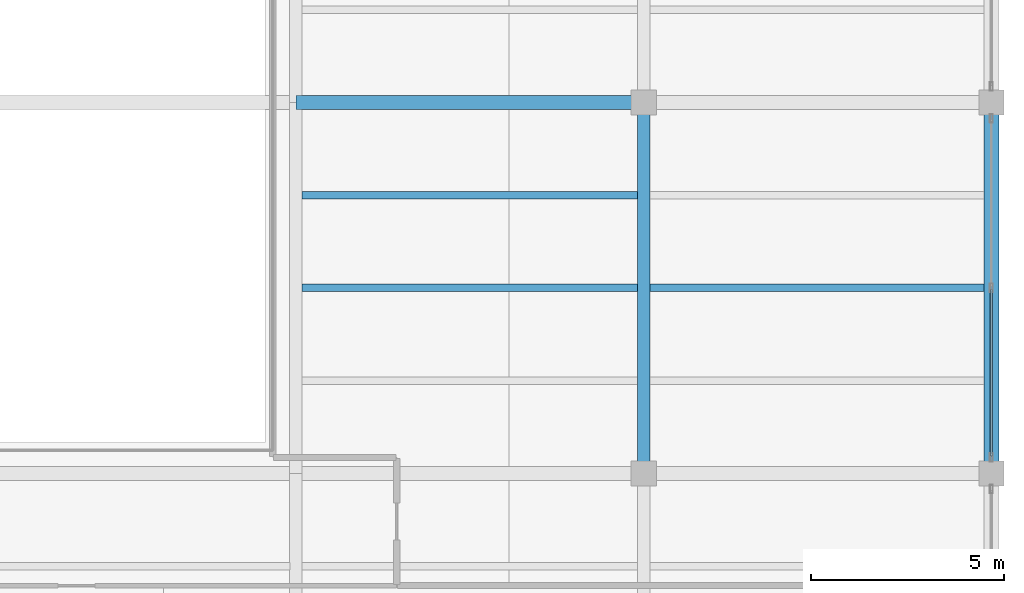
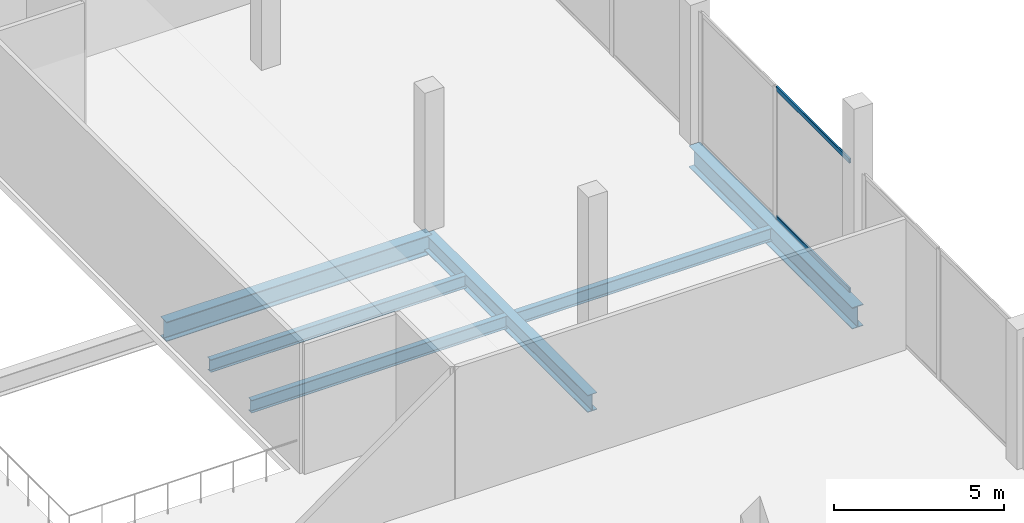
# One storey, part 17 of 43: 6 beams, 2 members, 1 element without a shape of its own.
"""IFC4 building model written with IfcOpenShell, lengths in metres."""

from ifc_helpers import new_model, si_unit, direction, frame, origin, origin_2d, place, context, subcontext, project, spatial, hollow_rectangle, i_section, extrude, material, layer, layer_set, material_profile, profile_set, type_object, element, aggregate, save


model = new_model("IFC4")

# Units and contexts
model_context = context("Model", 3, precision=1e-05, world=origin(), true_north=direction((0.0, 1.0)))
body_context = subcontext(model_context, "Body", "Model", "MODEL_VIEW")
ifc_project = project(units=[si_unit("LENGTHUNIT", "METRE"), si_unit("AREAUNIT", "SQUARE_METRE"), si_unit("VOLUMEUNIT", "CUBIC_METRE"), si_unit("PLANEANGLEUNIT", "RADIAN"), si_unit("MASSUNIT", "GRAM", prefix="KILO")], contexts=[model_context])

# Site, building, storey
site_placement = place(None, origin())
site = spatial("IfcSite", under=ifc_project, at=site_placement, CompositionType="ELEMENT")
building_placement = place(site_placement, origin())
building = spatial("IfcBuilding", under=site, at=building_placement, Name="Qorvath Tower", CompositionType="ELEMENT")
storey_placement = place(building_placement, frame((0.0, 0.0, 22.0)))
storey = spatial("IfcBuildingStorey", under=building, at=storey_placement, Name="L04", CompositionType="ELEMENT", Elevation=22.0)

# Beams
ifc_material_1 = material(Name="Steel ASTM A992 Grade 50", Category="steel")
ifc_material_profile_1 = material_profile(ifc_material_1, i_section(OverallWidth=0.381103515625, OverallDepth=0.77294921875, WebThickness=0.0166015625, FlangeThickness=0.027099609375, FilletRadius=0.01904296875, at=origin_2d()), Name="W30x173")
ifc_profile_set_1 = profile_set([ifc_material_profile_1], Name="Steel ASTM A992 Grade 50")
beam_type_1 = type_object("IfcBeamType", Name="BM-FG3", PredefinedType="BEAM", material=ifc_profile_set_1)
beam_1_placement = place(storey_placement, frame((77.39990234375, -9.60009765625, -0.646484375), z_axis=(0.0, 1.0, 0.0), x_axis=(-1.0, 0.0, 0.0)))
element("IfcBeam", 1, at=beam_1_placement, inside=storey, type_object=beam_type_1, Name="Library N-S Girder L04-6-4", PredefinedType="BEAM", context=body_context, shape_type="SweptSolid", body=[
    extrude(i_section(OverallWidth=0.381103515625, OverallDepth=0.77294921875, WebThickness=0.0166015625, FlangeThickness=0.027099609375, FilletRadius=0.01904296875, at=origin_2d()), origin(), (0.0, 0.0, 1.0), 9.60009765625),
])
ifc_material_2 = material(Name="Steel ASTM A992 Grade 50", Category="steel")
ifc_material_profile_2 = material_profile(ifc_material_2, i_section(OverallWidth=0.35595703125, OverallDepth=0.696044921875, WebThickness=0.015380859375, FlangeThickness=0.02490234375, FilletRadius=0.01806640625, at=origin_2d()), Name="W27x146")
ifc_profile_set_2 = profile_set([ifc_material_profile_2], Name="Steel ASTM A992 Grade 50")
beam_type_2 = type_object("IfcBeamType", Name="BM-FG4", PredefinedType="BEAM", material=ifc_profile_set_2)
beam_2_placement = place(storey_placement, frame((59.39990234375, 0.0, -0.60791015625), z_axis=(1.0, 0.0, 0.0), x_axis=(0.0, 1.0, 0.0)))
element("IfcBeam", 2, at=beam_2_placement, inside=storey, type_object=beam_type_2, Name="Library E-W Girder L04-5-4", PredefinedType="BEAM", context=body_context, shape_type="SweptSolid", body=[
    extrude(i_section(OverallWidth=0.35595703125, OverallDepth=0.696044921875, WebThickness=0.015380859375, FlangeThickness=0.02490234375, FilletRadius=0.01806640625, at=origin_2d()), origin(), (0.0, 0.0, 1.0), 9.0),
])
ifc_material_3 = material(Name="Steel ASTM A992 Grade 50", Category="steel")
ifc_material_profile_3 = material_profile(ifc_material_3, i_section(OverallWidth=0.324951171875, OverallDepth=0.615966796875, WebThickness=0.013916015625, FlangeThickness=0.021484375, FilletRadius=0.01611328125, at=origin_2d()), Name="W24x117")
ifc_profile_set_3 = profile_set([ifc_material_profile_3], Name="Steel ASTM A992 Grade 50")
beam_type_3 = type_object("IfcBeamType", Name="BM-FG5", PredefinedType="BEAM", material=ifc_profile_set_3)
beam_3_placement = place(storey_placement, frame((68.39990234375, -9.60009765625, -0.568115234375), z_axis=(0.0, 1.0, 0.0), x_axis=(-1.0, 0.0, 0.0)))
element("IfcBeam", 3, at=beam_3_placement, inside=storey, type_object=beam_type_3, Name="Library N-S Girder L04-5-4", PredefinedType="BEAM", context=body_context, shape_type="SweptSolid", body=[
    extrude(i_section(OverallWidth=0.324951171875, OverallDepth=0.615966796875, WebThickness=0.013916015625, FlangeThickness=0.021484375, FilletRadius=0.01611328125, at=origin_2d()), origin(), (0.0, 0.0, 1.0), 9.60009765625),
])
ifc_material_4 = material(Name="Steel ASTM A992 Grade 50", Category="steel")
ifc_material_profile_4 = material_profile(ifc_material_4, i_section(OverallWidth=0.18994140625, OverallDepth=0.45703125, WebThickness=0.009033203125, FlangeThickness=0.014404296875, FilletRadius=0.011962890625, at=origin_2d()), Name="W18x50")
ifc_profile_set_4 = profile_set([ifc_material_profile_4], Name="Steel ASTM A992 Grade 50")
beam_type_4 = type_object("IfcBeamType", Name="BM-FJ2", PredefinedType="JOIST", material=ifc_profile_set_4)
beam_4_placement = place(storey_placement, frame((59.560546875, -4.800048828125, -0.488525390625), z_axis=(1.0, 0.0, 0.0), x_axis=(0.0, 1.0, 0.0)))
element("IfcBeam", 4, at=beam_4_placement, inside=storey, type_object=beam_type_4, Name="Library Stack Joist L04-4.2-4", PredefinedType="JOIST", context=body_context, shape_type="SweptSolid", body=[
    extrude(i_section(OverallWidth=0.18994140625, OverallDepth=0.45703125, WebThickness=0.009033203125, FlangeThickness=0.014404296875, FilletRadius=0.011962890625, at=origin_2d()), origin(), (0.0, 0.0, 1.0), 8.678955078125),
])
beam_5_placement = place(storey_placement, frame((68.560546875, -4.800048828125, -0.488525390625), z_axis=(1.0, 0.0, 0.0), x_axis=(0.0, 1.0, 0.0)))
element("IfcBeam", 5, at=beam_5_placement, inside=storey, type_object=beam_type_4, Name="Library Stack Joist L04-4.2-5", PredefinedType="JOIST", context=body_context, shape_type="SweptSolid", body=[
    extrude(i_section(OverallWidth=0.18994140625, OverallDepth=0.45703125, WebThickness=0.009033203125, FlangeThickness=0.014404296875, FilletRadius=0.011962890625, at=origin_2d()), origin(), (0.0, 0.0, 1.0), 8.65087890625),
])
beam_6_placement = place(storey_placement, frame((59.560546875, -2.39990234375, -0.488525390625), z_axis=(1.0, 0.0, 0.0), x_axis=(0.0, 1.0, 0.0)))
element("IfcBeam", 6, at=beam_6_placement, inside=storey, type_object=beam_type_4, Name="Library Stack Joist L04-4.3-4", PredefinedType="JOIST", context=body_context, shape_type="SweptSolid", body=[
    extrude(i_section(OverallWidth=0.18994140625, OverallDepth=0.45703125, WebThickness=0.009033203125, FlangeThickness=0.014404296875, FilletRadius=0.011962890625, at=origin_2d()), origin(), (0.0, 0.0, 1.0), 8.678955078125),
])

# Curtain wall, members
ifc_material_5 = material(Name="Anodised aluminium and triple low-E glass", Category="aluminium")
ifc_layer = layer(ifc_material_5, 0.179931640625)
ifc_layer_set = layer_set([ifc_layer], Name="CW-SYS-6")
curtain_wall_type = type_object("IfcCurtainWallType", Name="CW-SYS-6", PredefinedType="NOTDEFINED", material=ifc_layer_set)
curtain_wall_placement = place(storey_placement, origin())
curtain_wall = element("IfcCurtainWall", 7, at=curtain_wall_placement, inside=storey, type_object=curtain_wall_type, Name="Curtain Wall CW-6 CW-LIB-E-L04-4", PredefinedType="NOTDEFINED")
ifc_material_6 = material(Name="Anodised aluminium 6063-T6", Category="aluminium")
ifc_material_profile_5 = material_profile(ifc_material_6, hollow_rectangle(XDim=0.06494140625, YDim=0.159912109375, WallThickness=0.00341796875, InnerFilletRadius=0.00341796875, OuterFilletRadius=0.007080078125, at=origin_2d()), Name="CWT 160x65")
ifc_profile_set_5 = profile_set([ifc_material_profile_5], Name="Anodised aluminium 6063-T6")
member_type = type_object("IfcMemberType", Name="CWT-160", PredefinedType="USERDEFINED", material=ifc_profile_set_5)
member_1_placement = place(storey_placement, frame((77.39990234375, -9.14990234375, 0.032470703125), z_axis=(0.0, 1.0, 0.0), x_axis=(-1.0, 0.0, 0.0)))
member_1 = element("IfcMember", 8, at=member_1_placement, type_object=member_type, Name="CW-6 transom 1.1", ObjectType="TRANSOM", PredefinedType="USERDEFINED", context=body_context, shape_type="SweptSolid", body=[
    extrude(hollow_rectangle(XDim=0.06494140625, YDim=0.159912109375, WallThickness=0.00341796875, InnerFilletRadius=0.00341796875, OuterFilletRadius=0.007080078125, at=origin_2d()), origin(), (0.0, 0.0, 1.0), 4.309814453125),
])
member_2_placement = place(storey_placement, frame((77.39990234375, -9.14990234375, 4.66748046875), z_axis=(0.0, 1.0, 0.0), x_axis=(-1.0, 0.0, 0.0)))
member_2 = element("IfcMember", 9, at=member_2_placement, type_object=member_type, Name="CW-6 transom 1.2", ObjectType="TRANSOM", PredefinedType="USERDEFINED", context=body_context, shape_type="SweptSolid", body=[
    extrude(hollow_rectangle(XDim=0.06494140625, YDim=0.159912109375, WallThickness=0.00341796875, InnerFilletRadius=0.00341796875, OuterFilletRadius=0.007080078125, at=origin_2d()), origin(), (0.0, 0.0, 1.0), 4.309814453125),
])
aggregate(curtain_wall, [member_1, member_2])

save(model, "model.ifc")
